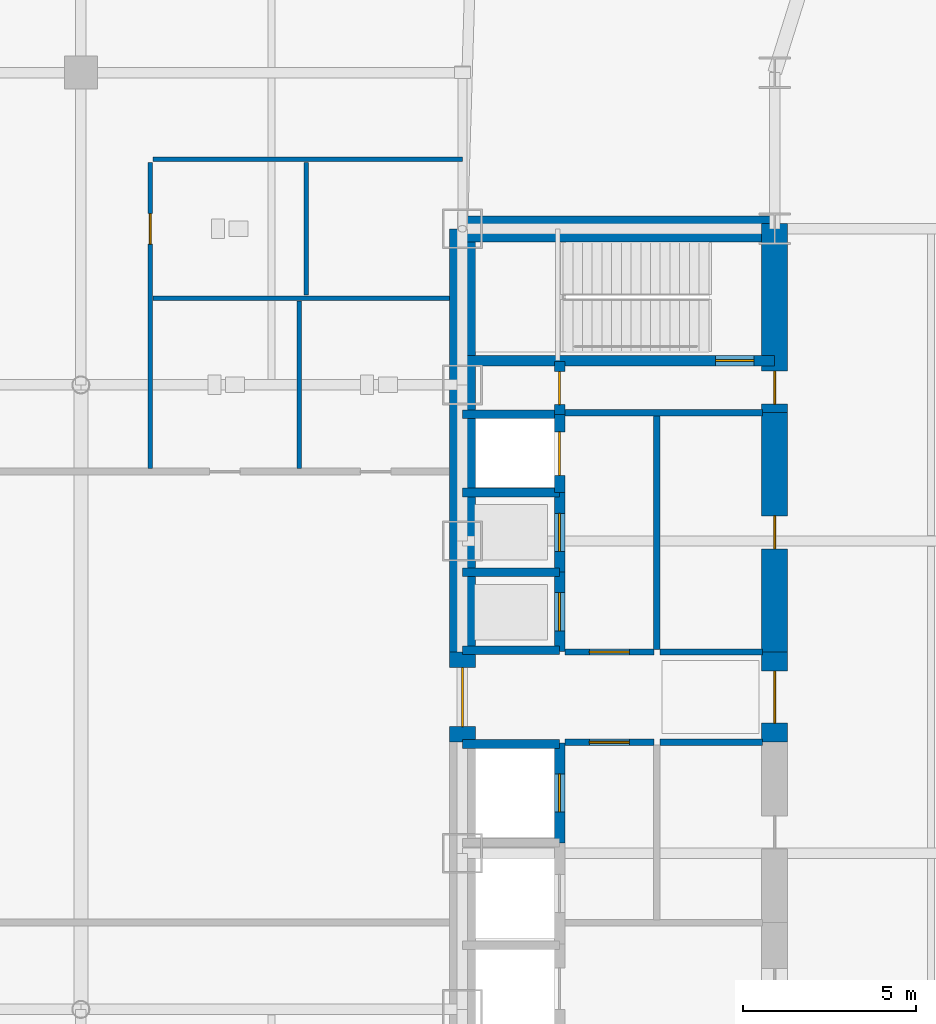
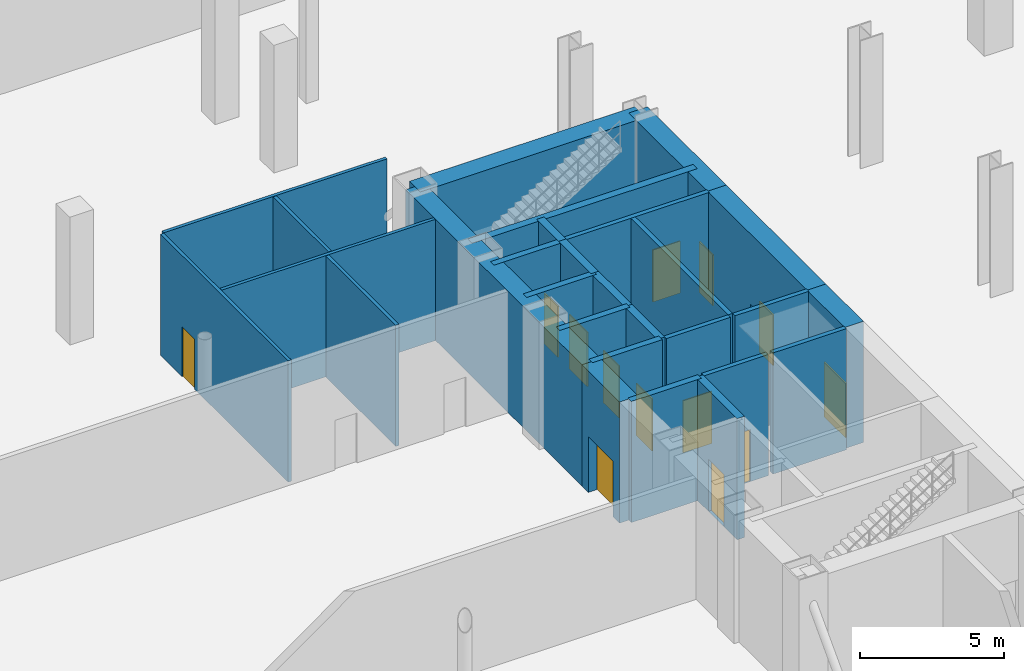
# One storey, part 14 of 21: 28 walls, 13 doors, 13 openings.
"""IFC4 building model written with IfcOpenShell, lengths in metres."""

from ifc_helpers import new_model, si_unit, direction, frame, frame_2d, origin, place, context, subcontext, project, spatial, rectangle, extrude, source, transform, mapped, material, layer, layer_set, type_object, type_shapes, element, fill, save


model = new_model("IFC4")

# Units and contexts
model_context = context("Model", 3, precision=1e-05, world=origin(), true_north=direction((0.0, 1.0)))
body_context = subcontext(model_context, "Body", "Model", "MODEL_VIEW")
ifc_project = project(units=[si_unit("LENGTHUNIT", "METRE"), si_unit("AREAUNIT", "SQUARE_METRE"), si_unit("VOLUMEUNIT", "CUBIC_METRE"), si_unit("PLANEANGLEUNIT", "RADIAN"), si_unit("MASSUNIT", "GRAM", prefix="KILO")], contexts=[model_context])

# Site, building, storey
site_placement = place(None, origin())
site = spatial("IfcSite", under=ifc_project, at=site_placement, CompositionType="ELEMENT")
building_placement = place(site_placement, origin())
building = spatial("IfcBuilding", under=site, at=building_placement, Name="Seokmaru Belvedere", CompositionType="ELEMENT")
storey_placement = place(building_placement, origin())
storey = spatial("IfcBuildingStorey", under=building, at=storey_placement, Name="L00", CompositionType="ELEMENT", Elevation=0.0)

# Walls
ifc_material_1 = material(Name="Fire-Rated Gypsum Shaftwall")
ifc_layer_1 = layer(ifc_material_1, 0.179931640625)
ifc_layer_set_1 = layer_set([ifc_layer_1], Name="Fire-Rated Gypsum Shaftwall")
wall_type_1 = type_object("IfcWallType", Name="Core Service Fire Partition 180", PredefinedType="PARTITIONING", material=ifc_layer_set_1)
wall_1_placement = place(storey_placement, frame((30.449951171875, 8.199951171875, 0.0), z_axis=(0.0, 0.0, 1.0), x_axis=(1.0, 0.0, 0.0)))
element("IfcWall", 1, at=wall_1_placement, inside=storey, type_object=wall_type_1, Name="L00 East Smokeproof Vestibule Partition", PredefinedType="PARTITIONING", context=body_context, shape_type="SweptSolid", body=[
    extrude(rectangle(XDim=5.699951171875, YDim=0.179931640625, at=frame_2d((2.85009765625, 0.0))), origin(), (0.0, 0.0, 1.0), 5.1201171875),
])
wall_2_placement = place(storey_placement, frame((33.10009765625, 1.3798828125, 0.0), z_axis=(0.0, 0.0, 1.0), x_axis=(0.0, 1.0, 0.0)))
element("IfcWall", 2, at=wall_2_placement, inside=storey, type_object=wall_type_1, Name="L00 East North Core Service Back Wall", PredefinedType="PARTITIONING", context=body_context, shape_type="SweptSolid", body=[
    extrude(rectangle(XDim=6.740234375, YDim=0.179931640625, at=frame_2d((3.3701171875, 0.0))), origin(), (0.0, 0.0, 1.0), 5.1201171875),
])

# Wall, opening, door
wall_3_placement = place(storey_placement, frame((30.449951171875, -1.300048828125, 0.0), z_axis=(0.0, 0.0, 1.0), x_axis=(1.0, 0.0, 0.0)))
wall_3 = element("IfcWall", 3, at=wall_3_placement, inside=storey, type_object=wall_type_1, Name="L00 East South Lift Lobby Foyer Wall", PredefinedType="PARTITIONING", context=body_context, shape_type="SweptSolid", body=[
    extrude(rectangle(XDim=2.570068359375, YDim=0.179931640625, at=frame_2d((1.28515625, 0.0))), origin(), (0.0, 0.0, 1.0), 5.1201171875),
])
opening_1_placement = place(wall_3_placement, frame((0.7099609375, 0.0, 0.0)))
opening_1 = element("IfcOpeningElement", 4, at=opening_1_placement, cuts=wall_3, Name="Opening D02", PredefinedType="OPENING", context=body_context, shape_type="SweptSolid", body=[
    extrude(rectangle(XDim=1.14990234375, YDim=2.199951171875, at=frame_2d((0.574951171875, 1.10009765625))), frame((0.0, 0.10009765625, 0.0), z_axis=(0.0, -1.0, 0.0), x_axis=(1.0, 0.0, 0.0)), (0.0, 0.0, 1.0), 0.199951171875),
])
ifc_material_2 = material(Name="Fire-Rated Steel Leaf", Category="steel")
door_type_1 = type_object("IfcDoorType", Name="Lobby and Vestibule Fire Door 1150x2200", OperationType="NOTDEFINED", PredefinedType="DOOR", material=ifc_material_2)
shared_shape_1 = source(origin(), body_context, "Body", "SweptSolid", [
    extrude(rectangle(XDim=1.14990234375, YDim=2.199951171875, at=frame_2d((0.574951171875, 1.10009765625))), frame((0.0, 0.02490234375, 0.0), z_axis=(0.0, -1.0, 0.0), x_axis=(1.0, 0.0, 0.0)), (0.0, 0.0, 1.0), 0.050048828125),
])
type_shapes(door_type_1, [shared_shape_1])
door_1_placement = place(opening_1_placement, origin())
door_1 = element("IfcDoor", 5, at=door_1_placement, inside=storey, type_object=door_type_1, Name="L00 East South Core Foyer Door", OperationType="SINGLE_SWING_RIGHT", OverallHeight=2.199951171875, OverallWidth=1.14990234375, PredefinedType="DOOR", context=body_context, shape_type="MappedRepresentation", body=[
    mapped(shared_shape_1, transform((0.0, 0.0, 0.0), scale=1.0)),
])
fill(opening_1, door_1)

wall_4_placement = place(storey_placement, frame((30.449951171875, 1.300048828125, 0.0), z_axis=(0.0, 0.0, 1.0), x_axis=(1.0, 0.0, 0.0)))
wall_4 = element("IfcWall", 6, at=wall_4_placement, inside=storey, type_object=wall_type_1, Name="L00 East North Lift Lobby Foyer Wall", PredefinedType="PARTITIONING", context=body_context, shape_type="SweptSolid", body=[
    extrude(rectangle(XDim=2.570068359375, YDim=0.179931640625, at=frame_2d((1.28515625, 0.0))), origin(), (0.0, 0.0, 1.0), 5.1201171875),
])
opening_2_placement = place(wall_4_placement, frame((0.7099609375, 0.0, 0.0)))
opening_2 = element("IfcOpeningElement", 7, at=opening_2_placement, cuts=wall_4, Name="Opening D02", PredefinedType="OPENING", context=body_context, shape_type="SweptSolid", body=[
    extrude(rectangle(XDim=1.14990234375, YDim=2.199951171875, at=frame_2d((0.574951171875, 1.10009765625))), frame((0.0, 0.10009765625, 0.0), z_axis=(0.0, -1.0, 0.0), x_axis=(1.0, 0.0, 0.0)), (0.0, 0.0, 1.0), 0.199951171875),
])
door_2_placement = place(opening_2_placement, origin())
door_2 = element("IfcDoor", 8, at=door_2_placement, inside=storey, type_object=door_type_1, Name="L00 East North Lift Lobby Door", OperationType="SINGLE_SWING_LEFT", OverallHeight=2.199951171875, OverallWidth=1.14990234375, PredefinedType="DOOR", context=body_context, shape_type="MappedRepresentation", body=[
    mapped(shared_shape_1, transform((0.0, 0.0, 0.0), scale=1.0)),
])
fill(opening_2, door_2)

# Walls
for number, where, z_axis, x_axis, name in (
    (9, (33.199951171875, -1.300048828125, 0.0), (0.0, 0.0, 1.0), (1.0, 0.0, 0.0), "L00 East Foyer Side Wall S"),
    (10, (33.199951171875, 1.300048828125, 0.0), (0.0, 0.0, 1.0), (1.0, 0.0, 0.0), "L00 East Foyer Side Wall N"),
):
    element("IfcWall", number, at=place(storey_placement, frame(where, z_axis=z_axis, x_axis=x_axis)), inside=storey, type_object=wall_type_1, Name=name, PredefinedType="PARTITIONING", context=body_context, shape_type="SweptSolid", body=[
        extrude(rectangle(XDim=2.949951171875, YDim=0.179931640625, at=frame_2d((1.47509765625, 0.0))), origin(), (0.0, 0.0, 1.0), 5.1201171875),
    ])
ifc_material_3 = material(Name="Concrete C50 (50 MPa)", Category="concrete")
ifc_layer_2 = layer(ifc_material_3, 0.25)
ifc_layer_set_2 = layer_set([ifc_layer_2], Name="Concrete C50 (50 MPa)")
wall_type_2 = type_object("IfcWallType", Name="Hoistway Transverse Concrete Divider Wall 250", PredefinedType="SHEAR", material=ifc_layer_set_2)
for number, where, z_axis, x_axis, name in (
    (11, (27.5, -1.35009765625, 0.0), (0.0, 0.0, 1.0), (1.0, 0.0, 0.0), "L00 East Hoistway Divider Core Wall 3"),
    (12, (27.5, 1.35009765625, 0.0), (0.0, 0.0, 1.0), (1.0, 0.0, 0.0), "L00 East Hoistway Divider Core Wall 4"),
    (13, (27.5, 3.60009765625, 0.0), (0.0, 0.0, 1.0), (1.0, 0.0, 0.0), "L00 East Hoistway Divider Core Wall 5"),
    (14, (27.5, 5.89990234375, 0.0), (0.0, 0.0, 1.0), (1.0, 0.0, 0.0), "L00 East Hoistway Divider Core Wall 6"),
    (15, (27.5, 8.14990234375, 0.0), (0.0, 0.0, 1.0), (1.0, 0.0, 0.0), "L00 East Hoistway Divider Core Wall 7"),
):
    element("IfcWall", number, at=place(storey_placement, frame(where, z_axis=z_axis, x_axis=x_axis)), inside=storey, type_object=wall_type_2, Name=name, PredefinedType="SHEAR", context=body_context, shape_type="SweptSolid", body=[
        extrude(rectangle(XDim=2.800048828125, YDim=0.25, at=frame_2d((1.39990234375, 0.0))), origin(), (0.0, 0.0, 1.0), 5.1201171875),
    ])

# Wall, opening, door
ifc_layer_3 = layer(ifc_material_3, 0.300048828125)
ifc_layer_set_3 = layer_set([ifc_layer_3], Name="Concrete C50 (50 MPa)")
wall_type_3 = type_object("IfcWallType", Name="Internal Core Stair and Hoistway Wall 300", PredefinedType="SHEAR", material=ifc_layer_set_3)
wall_5_placement = place(storey_placement, frame((27.5, 9.699951171875, 0.0), z_axis=(0.0, 0.0, 1.0), x_axis=(1.0, 0.0, 0.0)))
wall_5 = element("IfcWall", 16, at=wall_5_placement, inside=storey, type_object=wall_type_3, Name="L00 East Stair ST-2 Enclosure Wall", PredefinedType="SHEAR", context=body_context, shape_type="SweptSolid", body=[
    extrude(rectangle(XDim=9.0, YDim=0.300048828125, at=frame_2d((4.5, 0.0))), origin(), (0.0, 0.0, 1.0), 5.1201171875),
])
opening_3_placement = place(wall_5_placement, frame((7.300048828125, 0.0, 0.0)))
opening_3 = element("IfcOpeningElement", 17, at=opening_3_placement, cuts=wall_5, Name="Opening D01", PredefinedType="OPENING", context=body_context, shape_type="SweptSolid", body=[
    extrude(rectangle(XDim=1.10009765625, YDim=2.199951171875, at=frame_2d((0.550048828125, 1.10009765625))), frame((0.0, 0.16015625, 0.0), z_axis=(0.0, -1.0, 0.0), x_axis=(1.0, 0.0, 0.0)), (0.0, 0.0, 1.0), 0.320068359375),
])
door_type_2 = type_object("IfcDoorType", Name="Special Escape Stair Smokeproof Fire Door 1100x2200", OperationType="NOTDEFINED", PredefinedType="DOOR", material=ifc_material_2)
shared_shape_2 = source(origin(), body_context, "Body", "SweptSolid", [
    extrude(rectangle(XDim=1.10009765625, YDim=2.199951171875, at=frame_2d((0.550048828125, 1.10009765625))), frame((0.0, 0.02490234375, 0.0), z_axis=(0.0, -1.0, 0.0), x_axis=(1.0, 0.0, 0.0)), (0.0, 0.0, 1.0), 0.050048828125),
])
type_shapes(door_type_2, [shared_shape_2])
door_3_placement = place(opening_3_placement, frame((1.10009765625, 0.0, 0.0), z_axis=(0.0, 0.0, 1.0), x_axis=(-1.0, 0.0, 0.0)))
door_3 = element("IfcDoor", 18, at=door_3_placement, inside=storey, type_object=door_type_2, Name="L00 East Special Escape Stair ST-2 Door", OperationType="SINGLE_SWING_LEFT", OverallHeight=2.199951171875, OverallWidth=1.10009765625, PredefinedType="DOOR", context=body_context, shape_type="MappedRepresentation", body=[
    mapped(shared_shape_2, transform((0.0, 0.0, 0.0), scale=1.0)),
])
fill(opening_3, door_3)

wall_6_placement = place(storey_placement, frame((30.300048828125, -4.199951171875, 0.0), z_axis=(0.0, 0.0, 1.0), x_axis=(0.0, 1.0, 0.0)))
wall_6 = element("IfcWall", 19, at=wall_6_placement, inside=storey, type_object=wall_type_3, Name="L00 East Low-Rise Lift PL-2 Front Wall", PredefinedType="SHEAR", context=body_context, shape_type="SweptSolid", body=[
    extrude(rectangle(XDim=2.8798828125, YDim=0.300048828125, at=frame_2d((1.43994140625, 0.0))), origin(), (0.0, 0.0, 1.0), 5.1201171875),
])
opening_4_placement = place(wall_6_placement, frame((0.889892578125, 0.0, 0.0)))
opening_4 = element("IfcOpeningElement", 20, at=opening_4_placement, cuts=wall_6, Name="Opening LD1", PredefinedType="OPENING", context=body_context, shape_type="SweptSolid", body=[
    extrude(rectangle(XDim=1.10009765625, YDim=2.199951171875, at=frame_2d((0.550048828125, 1.10009765625))), frame((0.0, 0.16015625, 0.0), z_axis=(0.0, -1.0, 0.0), x_axis=(1.0, 0.0, 0.0)), (0.0, 0.0, 1.0), 0.320068359375),
])
ifc_material_4 = material(Name="Stainless Steel 316", Category="steel")
door_type_3 = type_object("IfcDoorType", Name="Passenger Lift Sliding Landing Door 1100x2200", OperationType="DOUBLE_DOOR_SLIDING", PredefinedType="DOOR", material=ifc_material_4)
shared_shape_3 = source(origin(), body_context, "Body", "SweptSolid", [
    extrude(rectangle(XDim=1.10009765625, YDim=2.199951171875, at=frame_2d((0.550048828125, 1.10009765625))), frame((0.0, 0.02490234375, 0.0), z_axis=(0.0, -1.0, 0.0), x_axis=(1.0, 0.0, 0.0)), (0.0, 0.0, 1.0), 0.050048828125),
])
type_shapes(door_type_3, [shared_shape_3])
door_4_placement = place(opening_4_placement, origin())
door_4 = element("IfcDoor", 21, at=door_4_placement, inside=storey, type_object=door_type_3, Name="L00 East Low-Rise Lift PL-2 Landing Door", OperationType="DOUBLE_DOOR_SLIDING", OverallHeight=2.199951171875, OverallWidth=1.10009765625, PredefinedType="DOOR", context=body_context, shape_type="MappedRepresentation", body=[
    mapped(shared_shape_3, transform((0.0, 0.0, 0.0), scale=1.0)),
])
fill(opening_4, door_4)

wall_7_placement = place(storey_placement, frame((30.300048828125, 1.320068359375, 0.0), z_axis=(0.0, 0.0, 1.0), x_axis=(0.0, 1.0, 0.0)))
wall_7 = element("IfcWall", 22, at=wall_7_placement, inside=storey, type_object=wall_type_3, Name="L00 East North Hoistway Wall PH1", PredefinedType="SHEAR", context=body_context, shape_type="SweptSolid", body=[
    extrude(rectangle(XDim=2.280029296875, YDim=0.300048828125, at=frame_2d((1.14013671875, 0.0))), origin(), (0.0, 0.0, 1.0), 5.1201171875),
])
opening_5_placement = place(wall_7_placement, frame((0.590087890625, 0.0, 0.0)))
opening_5 = element("IfcOpeningElement", 23, at=opening_5_placement, cuts=wall_7, Name="Opening LD1", PredefinedType="OPENING", context=body_context, shape_type="SweptSolid", body=[
    extrude(rectangle(XDim=1.10009765625, YDim=2.199951171875, at=frame_2d((0.550048828125, 1.10009765625))), frame((0.0, 0.16015625, 0.0), z_axis=(0.0, -1.0, 0.0), x_axis=(1.0, 0.0, 0.0)), (0.0, 0.0, 1.0), 0.320068359375),
])
door_5_placement = place(opening_5_placement, origin())
door_5 = element("IfcDoor", 24, at=door_5_placement, inside=storey, type_object=door_type_3, Name="L00 East High-Rise Lift PH-1 Landing Door", OperationType="DOUBLE_DOOR_SLIDING", OverallHeight=2.199951171875, OverallWidth=1.10009765625, PredefinedType="DOOR", context=body_context, shape_type="MappedRepresentation", body=[
    mapped(shared_shape_3, transform((0.0, 0.0, 0.0), scale=1.0)),
])
fill(opening_5, door_5)

wall_8_placement = place(storey_placement, frame((30.300048828125, 3.60009765625, 0.0), z_axis=(0.0, 0.0, 1.0), x_axis=(0.0, 1.0, 0.0)))
wall_8 = element("IfcWall", 25, at=wall_8_placement, inside=storey, type_object=wall_type_3, Name="L00 East North Hoistway Wall PH2", PredefinedType="SHEAR", context=body_context, shape_type="SweptSolid", body=[
    extrude(rectangle(XDim=2.2998046875, YDim=0.300048828125, at=frame_2d((1.14990234375, 0.0))), origin(), (0.0, 0.0, 1.0), 5.1201171875),
])
opening_6_placement = place(wall_8_placement, frame((0.60009765625, 0.0, 0.0)))
opening_6 = element("IfcOpeningElement", 26, at=opening_6_placement, cuts=wall_8, Name="Opening LD1", PredefinedType="OPENING", context=body_context, shape_type="SweptSolid", body=[
    extrude(rectangle(XDim=1.10009765625, YDim=2.199951171875, at=frame_2d((0.550048828125, 1.10009765625))), frame((0.0, 0.16015625, 0.0), z_axis=(0.0, -1.0, 0.0), x_axis=(1.0, 0.0, 0.0)), (0.0, 0.0, 1.0), 0.320068359375),
])
door_6_placement = place(opening_6_placement, origin())
door_6 = element("IfcDoor", 27, at=door_6_placement, inside=storey, type_object=door_type_3, Name="L00 East High-Rise Lift PH-2 Landing Door", OperationType="DOUBLE_DOOR_SLIDING", OverallHeight=2.199951171875, OverallWidth=1.10009765625, PredefinedType="DOOR", context=body_context, shape_type="MappedRepresentation", body=[
    mapped(shared_shape_3, transform((0.0, 0.0, 0.0), scale=1.0)),
])
fill(opening_6, door_6)

wall_9_placement = place(storey_placement, frame((30.300048828125, 5.89990234375, 0.0), z_axis=(0.0, 0.0, 1.0), x_axis=(0.0, 1.0, 0.0)))
wall_9 = element("IfcWall", 28, at=wall_9_placement, inside=storey, type_object=wall_type_3, Name="L00 East North Hoistway Wall OBS", PredefinedType="SHEAR", context=body_context, shape_type="SweptSolid", body=[
    extrude(rectangle(XDim=2.25, YDim=0.300048828125, at=frame_2d((1.125, 0.0))), origin(), (0.0, 0.0, 1.0), 5.1201171875),
])
opening_7_placement = place(wall_9_placement, frame((0.4951171875, 0.0, 0.0)))
opening_7 = element("IfcOpeningElement", 29, at=opening_7_placement, cuts=wall_9, Name="Opening LD3", PredefinedType="OPENING", context=body_context, shape_type="SweptSolid", body=[
    extrude(rectangle(XDim=1.25, YDim=2.300048828125, at=frame_2d((0.625, 1.14990234375))), frame((0.0, 0.16015625, 0.0), z_axis=(0.0, -1.0, 0.0), x_axis=(1.0, 0.0, 0.0)), (0.0, 0.0, 1.0), 0.320068359375),
])
door_type_4 = type_object("IfcDoorType", Name="Observatory Shuttle Sliding Landing Door 1250x2300", OperationType="DOUBLE_DOOR_SLIDING", PredefinedType="DOOR", material=ifc_material_4)
shared_shape_4 = source(origin(), body_context, "Body", "SweptSolid", [
    extrude(rectangle(XDim=1.25, YDim=2.300048828125, at=frame_2d((0.625, 1.14990234375))), frame((0.0, 0.02490234375, 0.0), z_axis=(0.0, -1.0, 0.0), x_axis=(1.0, 0.0, 0.0)), (0.0, 0.0, 1.0), 0.050048828125),
])
type_shapes(door_type_4, [shared_shape_4])
door_7_placement = place(opening_7_placement, origin())
door_7 = element("IfcDoor", 30, at=door_7_placement, inside=storey, type_object=door_type_4, Name="L00 East Express Observatory Lift Landing Door", OperationType="DOUBLE_DOOR_SLIDING", OverallHeight=2.300048828125, OverallWidth=1.25, PredefinedType="DOOR", context=body_context, shape_type="MappedRepresentation", body=[
    mapped(shared_shape_4, transform((0.0, 0.0, 0.0), scale=1.0)),
])
fill(opening_7, door_7)

wall_10_placement = place(storey_placement, frame((30.300048828125, 8.14990234375, 0.0), z_axis=(0.0, 0.0, 1.0), x_axis=(0.0, 1.0, 0.0)))
wall_10 = element("IfcWall", 31, at=wall_10_placement, inside=storey, type_object=wall_type_3, Name="L00 East Electrical Riser Front Wall", PredefinedType="SHEAR", context=body_context, shape_type="SweptSolid", body=[
    extrude(rectangle(XDim=1.530029296875, YDim=0.300048828125, at=frame_2d((0.76513671875, 0.0))), origin(), (0.0, 0.0, 1.0), 5.1201171875),
])
opening_8_placement = place(wall_10_placement, frame((0.284912109375, 0.0, 0.0)))
opening_8 = element("IfcOpeningElement", 32, at=opening_8_placement, cuts=wall_10, Name="Opening D04", PredefinedType="OPENING", context=body_context, shape_type="SweptSolid", body=[
    extrude(rectangle(XDim=0.949951171875, YDim=2.14990234375, at=frame_2d((0.47509765625, 1.074951171875))), frame((0.0, 0.16015625, 0.0), z_axis=(0.0, -1.0, 0.0), x_axis=(1.0, 0.0, 0.0)), (0.0, 0.0, 1.0), 0.320068359375),
])
door_type_5 = type_object("IfcDoorType", Name="Core Service Room Fire Door 950x2150", OperationType="NOTDEFINED", PredefinedType="DOOR", material=ifc_material_2)
shared_shape_5 = source(origin(), body_context, "Body", "SweptSolid", [
    extrude(rectangle(XDim=0.949951171875, YDim=2.14990234375, at=frame_2d((0.47509765625, 1.074951171875))), frame((0.0, 0.02490234375, 0.0), z_axis=(0.0, -1.0, 0.0), x_axis=(1.0, 0.0, 0.0)), (0.0, 0.0, 1.0), 0.050048828125),
])
type_shapes(door_type_5, [shared_shape_5])
door_8_placement = place(opening_8_placement, origin())
door_8 = element("IfcDoor", 33, at=door_8_placement, inside=storey, type_object=door_type_5, Name="L00 East Electrical Riser Access Door", OperationType="SINGLE_SWING_RIGHT", OverallHeight=2.14990234375, OverallWidth=0.949951171875, PredefinedType="DOOR", context=body_context, shape_type="MappedRepresentation", body=[
    mapped(shared_shape_5, transform((0.0, 0.0, 0.0), scale=1.0)),
])
fill(opening_8, door_8)

# Wall
ifc_material_5 = material(Name="Concrete C60 (60 MPa)", Category="concrete")
ifc_layer_4 = layer(ifc_material_5, 0.75)
ifc_layer_set_4 = layer_set([ifc_layer_4], Name="Concrete C60 (60 MPa)")
wall_type_4 = type_object("IfcWallType", Name="Lower Tower Reinforced Concrete Core Wall 750", PredefinedType="SHEAR", material=ifc_layer_set_4)
wall_11_placement = place(storey_placement, frame((27.5, 1.300048828125, 0.0), z_axis=(0.0, 0.0, 1.0), x_axis=(0.0, 1.0, 0.0)))
element("IfcWall", 34, at=wall_11_placement, inside=storey, type_object=wall_type_4, Name="L00 East Portal Spine Core Wall North", PredefinedType="SHEAR", context=body_context, shape_type="SweptSolid", body=[
    extrude(rectangle(XDim=12.199951171875, YDim=0.75, at=frame_2d((6.10009765625, 0.0))), origin(), (0.0, 0.0, 1.0), 5.1201171875),
])

# Wall, opening, door
wall_12_placement = place(storey_placement, frame((27.5, -1.300048828125, 0.0), z_axis=(0.0, 0.0, 1.0), x_axis=(0.0, 1.0, 0.0)))
wall_12 = element("IfcWall", 35, at=wall_12_placement, inside=storey, type_object=wall_type_4, Name="L00 East Portal Spine Core Wall Center", PredefinedType="SHEAR", context=body_context, shape_type="SweptSolid", body=[
    extrude(rectangle(XDim=2.60009765625, YDim=0.75, at=frame_2d((1.300048828125, 0.0))), origin(), (0.0, 0.0, 1.0), 5.1201171875),
])
opening_9_placement = place(wall_12_placement, frame((0.449951171875, 0.0, 0.0)))
opening_9 = element("IfcOpeningElement", 36, at=opening_9_placement, cuts=wall_12, Name="Opening D09", PredefinedType="OPENING", context=body_context, shape_type="SweptSolid", body=[
    extrude(rectangle(XDim=1.699951171875, YDim=2.35009765625, at=frame_2d((0.85009765625, 1.175048828125))), frame((0.0, 0.385009765625, 0.0), z_axis=(0.0, -1.0, 0.0), x_axis=(1.0, 0.0, 0.0)), (0.0, 0.0, 1.0), 0.77001953125),
])
door_type_6 = type_object("IfcDoorType", Name="Sky-Gate Bridge Inter-Tower Fire Door 1700x2350", OperationType="DOUBLE_SWING_LEFT", PredefinedType="DOOR", material=ifc_material_2)
shared_shape_6 = source(origin(), body_context, "Body", "SweptSolid", [
    extrude(rectangle(XDim=1.699951171875, YDim=2.35009765625, at=frame_2d((0.85009765625, 1.175048828125))), frame((0.0, 0.02490234375, 0.0), z_axis=(0.0, -1.0, 0.0), x_axis=(1.0, 0.0, 0.0)), (0.0, 0.0, 1.0), 0.050048828125),
])
type_shapes(door_type_6, [shared_shape_6])
door_9_placement = place(opening_9_placement, origin())
door_9 = element("IfcDoor", 37, at=door_9_placement, inside=storey, type_object=door_type_6, Name="L00 East Inter-Tower Fire Door", OperationType="DOUBLE_SWING_LEFT", OverallHeight=2.35009765625, OverallWidth=1.699951171875, PredefinedType="DOOR", context=body_context, shape_type="MappedRepresentation", body=[
    mapped(shared_shape_6, transform((0.0, 0.0, 0.0), scale=1.0)),
])
fill(opening_9, door_9)

# Wall
wall_13_placement = place(storey_placement, frame((27.5, 13.5, 0.0), z_axis=(0.0, 0.0, 1.0), x_axis=(1.0, 0.0, 0.0)))
element("IfcWall", 38, at=wall_13_placement, inside=storey, type_object=wall_type_4, Name="L00 East North Core Wall", PredefinedType="SHEAR", context=body_context, shape_type="SweptSolid", body=[
    extrude(rectangle(XDim=9.0, YDim=0.75, at=frame_2d((4.5, 0.0))), origin(), (0.0, 0.0, 1.0), 5.1201171875),
])

# Wall, opening, door
wall_14_placement = place(storey_placement, frame((36.5, -1.300048828125, 0.0), z_axis=(0.0, 0.0, 1.0), x_axis=(0.0, 1.0, 0.0)))
wall_14 = element("IfcWall", 39, at=wall_14_placement, inside=storey, type_object=wall_type_4, Name="L00 East West Core Wall FOY", PredefinedType="SHEAR", context=body_context, shape_type="SweptSolid", body=[
    extrude(rectangle(XDim=2.60009765625, YDim=0.75, at=frame_2d((1.300048828125, 0.0))), origin(), (0.0, 0.0, 1.0), 5.1201171875),
])
opening_10_placement = place(wall_14_placement, frame((0.550048828125, 0.0, 0.0)))
opening_10 = element("IfcOpeningElement", 40, at=opening_10_placement, cuts=wall_14, Name="Opening D08", PredefinedType="OPENING", context=body_context, shape_type="SweptSolid", body=[
    extrude(rectangle(XDim=1.5, YDim=2.300048828125, at=frame_2d((0.75, 1.14990234375))), frame((0.0, 0.385009765625, 0.0), z_axis=(0.0, -1.0, 0.0), x_axis=(1.0, 0.0, 0.0)), (0.0, 0.0, 1.0), 0.77001953125),
])
door_type_7 = type_object("IfcDoorType", Name="Cross-Corridor Compartment Double Fire Door 1500x2300", OperationType="DOUBLE_SWING_LEFT", PredefinedType="DOOR", material=ifc_material_2)
shared_shape_7 = source(origin(), body_context, "Body", "SweptSolid", [
    extrude(rectangle(XDim=1.5, YDim=2.300048828125, at=frame_2d((0.75, 1.14990234375))), frame((0.0, 0.02490234375, 0.0), z_axis=(0.0, -1.0, 0.0), x_axis=(1.0, 0.0, 0.0)), (0.0, 0.0, 1.0), 0.050048828125),
])
type_shapes(door_type_7, [shared_shape_7])
door_10_placement = place(opening_10_placement, frame((1.5, 0.0, 0.0), z_axis=(0.0, 0.0, 1.0), x_axis=(-1.0, 0.0, 0.0)))
door_10 = element("IfcDoor", 41, at=door_10_placement, inside=storey, type_object=door_type_7, Name="L00 East Core Foyer Compartment Door", OperationType="DOUBLE_SWING_LEFT", OverallHeight=2.300048828125, OverallWidth=1.5, PredefinedType="DOOR", context=body_context, shape_type="MappedRepresentation", body=[
    mapped(shared_shape_7, transform((0.0, 0.0, 0.0), scale=1.0)),
])
fill(opening_10, door_10)

wall_15_placement = place(storey_placement, frame((36.5, 8.199951171875, 0.0), z_axis=(0.0, 0.0, 1.0), x_axis=(0.0, 1.0, 0.0)))
wall_15 = element("IfcWall", 42, at=wall_15_placement, inside=storey, type_object=wall_type_4, Name="L00 East West Core Wall VST", PredefinedType="SHEAR", context=body_context, shape_type="SweptSolid", body=[
    extrude(rectangle(XDim=5.449951171875, YDim=0.75, at=frame_2d((2.72509765625, 0.0))), origin(), (0.0, 0.0, 1.0), 5.1201171875),
])
opening_11_placement = place(wall_15_placement, frame((0.2451171875, 0.0, 0.0)))
opening_11 = element("IfcOpeningElement", 43, at=opening_11_placement, cuts=wall_15, Name="Opening D04", PredefinedType="OPENING", context=body_context, shape_type="SweptSolid", body=[
    extrude(rectangle(XDim=0.949951171875, YDim=2.14990234375, at=frame_2d((0.47509765625, 1.074951171875))), frame((0.0, 0.385009765625, 0.0), z_axis=(0.0, -1.0, 0.0), x_axis=(1.0, 0.0, 0.0)), (0.0, 0.0, 1.0), 0.77001953125),
])
door_11_placement = place(opening_11_placement, frame((0.949951171875, 0.0, 0.0), z_axis=(0.0, 0.0, 1.0), x_axis=(-1.0, 0.0, 0.0)))
door_11 = element("IfcDoor", 44, at=door_11_placement, inside=storey, type_object=door_type_5, Name="L00 East Smokeproof Vestibule Door", OperationType="SINGLE_SWING_LEFT", OverallHeight=2.14990234375, OverallWidth=0.949951171875, PredefinedType="DOOR", context=body_context, shape_type="MappedRepresentation", body=[
    mapped(shared_shape_5, transform((0.0, 0.0, 0.0), scale=1.0)),
])
fill(opening_11, door_11)

wall_16_placement = place(storey_placement, frame((36.5, 1.300048828125, 0.0), z_axis=(0.0, 0.0, 1.0), x_axis=(0.0, 1.0, 0.0)))
wall_16 = element("IfcWall", 45, at=wall_16_placement, inside=storey, type_object=wall_type_4, Name="L00 East West Core Wall CS2", PredefinedType="SHEAR", context=body_context, shape_type="SweptSolid", body=[
    extrude(rectangle(XDim=6.89990234375, YDim=0.75, at=frame_2d((3.449951171875, 0.0))), origin(), (0.0, 0.0, 1.0), 5.1201171875),
])
opening_12_placement = place(wall_16_placement, frame((2.97509765625, 0.0, 0.0)))
opening_12 = element("IfcOpeningElement", 46, at=opening_12_placement, cuts=wall_16, Name="Opening D04", PredefinedType="OPENING", context=body_context, shape_type="SweptSolid", body=[
    extrude(rectangle(XDim=0.949951171875, YDim=2.14990234375, at=frame_2d((0.47509765625, 1.074951171875))), frame((0.0, 0.385009765625, 0.0), z_axis=(0.0, -1.0, 0.0), x_axis=(1.0, 0.0, 0.0)), (0.0, 0.0, 1.0), 0.77001953125),
])
door_12_placement = place(opening_12_placement, origin())
door_12 = element("IfcDoor", 47, at=door_12_placement, inside=storey, type_object=door_type_5, Name="L00 East Core Service Room Door 2", OperationType="SINGLE_SWING_LEFT", OverallHeight=2.14990234375, OverallWidth=0.949951171875, PredefinedType="DOOR", context=body_context, shape_type="MappedRepresentation", body=[
    mapped(shared_shape_5, transform((0.0, 0.0, 0.0), scale=1.0)),
])
fill(opening_12, door_12)

# Walls
ifc_layer_5 = layer(ifc_material_1, 0.1298828125)
ifc_layer_set_5 = layer_set([ifc_layer_5], Name="Fire-Rated Gypsum Shaftwall")
wall_type_5 = type_object("IfcWallType", Name="Moisture-Resistant Fire-Rated Bathroom Partition 130", PredefinedType="PARTITIONING", material=ifc_layer_set_5)
wall_17_placement = place(storey_placement, frame((18.5849609375, 11.5, 0.0), z_axis=(0.0, 0.0, 1.0), x_axis=(1.0, 0.0, 0.0)))
element("IfcWall", 48, at=wall_17_placement, inside=storey, type_object=wall_type_5, Name="L00 Interior Partition 003", PredefinedType="PARTITIONING", context=body_context, shape_type="SweptSolid", body=[
    extrude(rectangle(XDim=8.53515625, YDim=0.1298828125, at=frame_2d((4.267578125, 0.0))), origin(), (0.0, 0.0, 1.0), 5.1201171875),
])
wall_18_placement = place(storey_placement, frame((18.5849609375, 15.5, 0.0), z_axis=(0.0, 0.0, 1.0), x_axis=(1.0, 0.0, 0.0)))
element("IfcWall", 49, at=wall_18_placement, inside=storey, type_object=wall_type_5, Name="L00 Interior Partition 005", PredefinedType="PARTITIONING", context=body_context, shape_type="SweptSolid", body=[
    extrude(rectangle(XDim=8.9150390625, YDim=0.1298828125, at=frame_2d((4.45751953125, 0.0))), origin(), (0.0, 0.0, 1.0), 5.1201171875),
])

# Wall, opening, door
wall_19_placement = place(storey_placement, frame((18.5, 6.5849609375, 0.0), z_axis=(0.0, 0.0, 1.0), x_axis=(0.0, 1.0, 0.0)))
wall_19 = element("IfcWall", 50, at=wall_19_placement, inside=storey, type_object=wall_type_5, Name="L00 Interior Partition 011", PredefinedType="PARTITIONING", context=body_context, shape_type="SweptSolid", body=[
    extrude(rectangle(XDim=8.830078125, YDim=0.1298828125, at=frame_2d((4.4150390625, 0.0))), origin(), (0.0, 0.0, 1.0), 5.1201171875),
])
opening_13_placement = place(wall_19_placement, frame((6.47509765625, 0.0, 0.0)))
opening_13 = element("IfcOpeningElement", 51, at=opening_13_placement, cuts=wall_19, Name="Opening D06", PredefinedType="OPENING", context=body_context, shape_type="SweptSolid", body=[
    extrude(rectangle(XDim=0.8798828125, YDim=2.10009765625, at=frame_2d((0.43994140625, 1.050048828125))), frame((0.0, 0.074951171875, 0.0), z_axis=(0.0, -1.0, 0.0), x_axis=(1.0, 0.0, 0.0)), (0.0, 0.0, 1.0), 0.14990234375),
])
ifc_material_6 = material(Name="Engineered White Oak Timber", Category="wood")
door_type_8 = type_object("IfcDoorType", Name="Bathroom and Restroom Fire-Rated Door 880x2100", OperationType="NOTDEFINED", PredefinedType="DOOR", material=ifc_material_6)
shared_shape_8 = source(origin(), body_context, "Body", "SweptSolid", [
    extrude(rectangle(XDim=0.8798828125, YDim=2.10009765625, at=frame_2d((0.43994140625, 1.050048828125))), frame((0.0, 0.02490234375, 0.0), z_axis=(0.0, -1.0, 0.0), x_axis=(1.0, 0.0, 0.0)), (0.0, 0.0, 1.0), 0.050048828125),
])
type_shapes(door_type_8, [shared_shape_8])
door_13_placement = place(opening_13_placement, origin())
door_13 = element("IfcDoor", 52, at=door_13_placement, inside=storey, type_object=door_type_8, Name="L00 Interior Door 005", OperationType="SINGLE_SWING_LEFT", OverallHeight=2.10009765625, OverallWidth=0.8798828125, PredefinedType="DOOR", context=body_context, shape_type="MappedRepresentation", body=[
    mapped(shared_shape_8, transform((0.0, 0.0, 0.0), scale=1.0)),
])
fill(opening_13, door_13)

# Walls
wall_20_placement = place(storey_placement, frame((22.800048828125, 6.5849609375, 0.0), z_axis=(0.0, 0.0, 1.0), x_axis=(0.0, 1.0, 0.0)))
element("IfcWall", 53, at=wall_20_placement, inside=storey, type_object=wall_type_5, Name="L00 Interior Partition 012", PredefinedType="PARTITIONING", context=body_context, shape_type="SweptSolid", body=[
    extrude(rectangle(XDim=4.830078125, YDim=0.1298828125, at=frame_2d((2.4150390625, 0.0))), origin(), (0.0, 0.0, 1.0), 5.1201171875),
])
wall_21_placement = place(storey_placement, frame((23.0, 11.5849609375, 0.0), z_axis=(0.0, 0.0, 1.0), x_axis=(0.0, 1.0, 0.0)))
element("IfcWall", 54, at=wall_21_placement, inside=storey, type_object=wall_type_5, Name="L00 Interior Partition 013", PredefinedType="PARTITIONING", context=body_context, shape_type="SweptSolid", body=[
    extrude(rectangle(XDim=3.830078125, YDim=0.1298828125, at=frame_2d((1.9150390625, 0.0))), origin(), (0.0, 0.0, 1.0), 5.1201171875),
])

save(model, "model.ifc")
